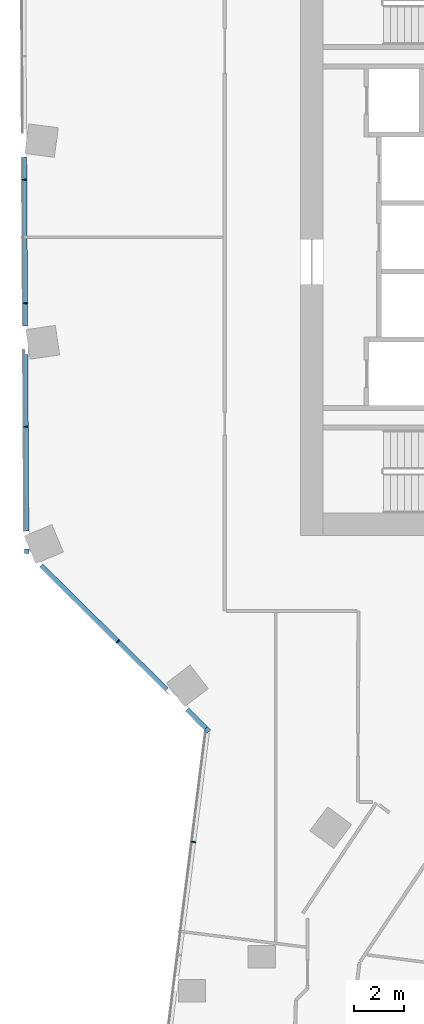
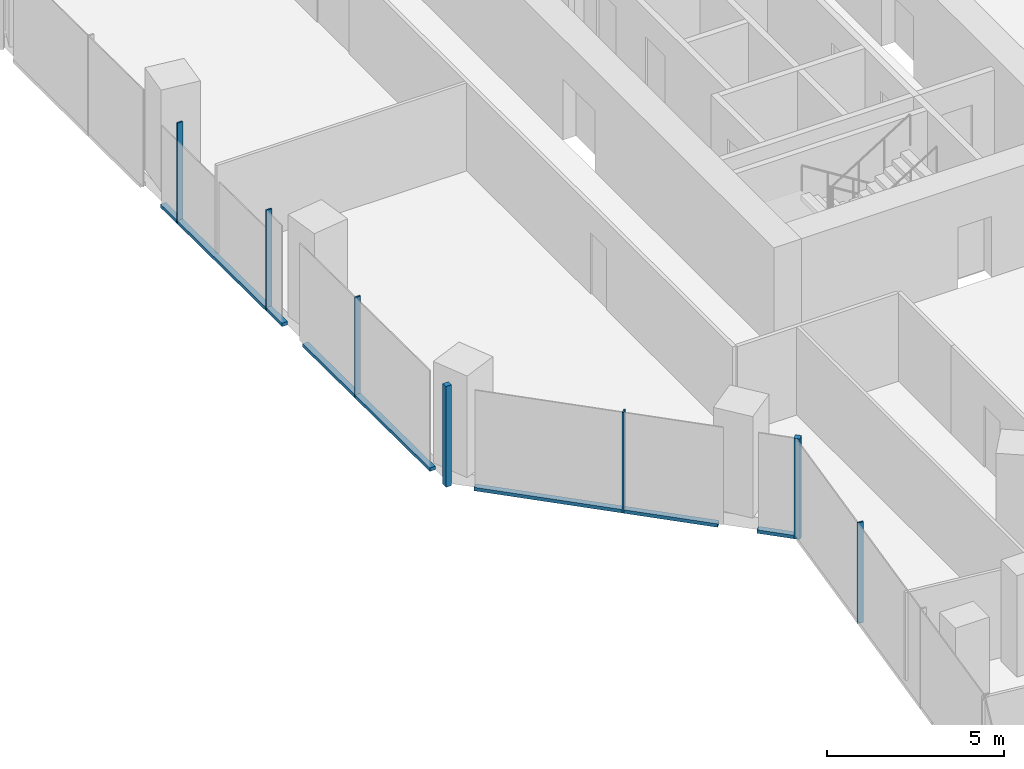
# One storey, part 6 of 27: 11 members, 3 elements without a shape of their own.
"""IFC4 building model written with IfcOpenShell, lengths in metres."""

import ifcopenshell
import ifcopenshell.guid

model = None  # the IFC model being written
_history = None  # IfcOwnerHistory: only IFC2X3 demands one
_inside = {}  # id of a spatial element -> (the spatial element, [elements in it])
_under = {}  # id of a project, library or spatial element -> (it, [spatial elements below it])
_declared = {}  # id of a project -> (the project, [libraries it declares])
_typed = {}  # id of a type object -> (the type object, [elements of that type])
_made_of = {}  # id of a material, layer set ... -> (it, [elements and type objects made of it])


def new_model(schema):
    """Start an empty IFC model of exactly this schema.

    Asked for "IFC4X3", IfcOpenShell would pick the latest addendum, in which some entities
    have other attributes; the version numbers below select the first issue.
    IFC2X3 requires an IfcOwnerHistory on every rooted entity: one is made here for all.
    """
    global model, _history
    if schema == "IFC4X3":
        model = ifcopenshell.file(schema_version=(4, 3, 0, 0))
    else:
        model = ifcopenshell.file(schema=schema)
    _inside.clear()
    _under.clear()
    _declared.clear()
    _typed.clear()
    _made_of.clear()
    _history = None
    if model.schema == "IFC2X3":
        org = make("IfcOrganization", Name="unknown")
        user = make(
            "IfcPersonAndOrganization",
            ThePerson=make("IfcPerson", FamilyName="unknown"),
            TheOrganization=org,
        )
        app = make(
            "IfcApplication",
            ApplicationDeveloper=org,
            Version="unknown",
            ApplicationFullName="unknown",
            ApplicationIdentifier="unknown",
        )
        _history = make(
            "IfcOwnerHistory",
            OwningUser=user,
            OwningApplication=app,
            ChangeAction="ADDED",
            CreationDate=0,
        )
    return model


def make(cls, **values):
    """One entity of the class cls with the attributes given. An attribute that is None is left unset."""
    return model.create_entity(
        cls, **{name: value for name, value in values.items() if value is not None}
    )


def rooted(cls, **values):
    """An entity with a GlobalId (a new one), such as an element, a storey or a relation."""
    return make(cls, GlobalId=ifcopenshell.guid.new(), OwnerHistory=_history, **values)


def si_unit(unit_type, name, prefix=None):
    """IfcSIUnit, for example si_unit("LENGTHUNIT", "METRE", prefix="MILLI")."""
    return make("IfcSIUnit", UnitType=unit_type, Prefix=prefix, Name=name)


def assignment(units):
    """IfcUnitAssignment: the units of a project."""
    return None if units is None else make("IfcUnitAssignment", Units=units)


def point(xyz):
    """IfcCartesianPoint."""
    return None if xyz is None else make("IfcCartesianPoint", Coordinates=xyz)


def direction(xyz):
    """IfcDirection."""
    return None if xyz is None else make("IfcDirection", DirectionRatios=xyz)


def frame(location, z_axis=None, x_axis=None):
    """IfcAxis2Placement3D, a coordinate frame: its origin and axes. An axis left out is left unset."""
    return make(
        "IfcAxis2Placement3D",
        Location=point(location),
        Axis=direction(z_axis),
        RefDirection=direction(x_axis),
    )


def frame_2d(location, x_axis=None):
    """IfcAxis2Placement2D, a coordinate frame in the plane: its origin and x axis."""
    return make(
        "IfcAxis2Placement2D", Location=point(location), RefDirection=direction(x_axis)
    )


def origin():
    """The frame at (0, 0, 0) with its axes left unset."""
    return frame((0.0, 0.0, 0.0))


def origin_2d():
    """The frame at (0, 0) in the plane with its x axis left unset."""
    return frame_2d((0.0, 0.0))


def place(relative_to, where):
    """IfcLocalPlacement: puts the frame where relative to a parent placement (None: the world)."""
    return make(
        "IfcLocalPlacement", PlacementRelTo=relative_to, RelativePlacement=where
    )


def context(
    kind, dimensions, precision=None, world=None, true_north=None, identifier=None
):
    """IfcGeometricRepresentationContext, for example the 3D "Model" context."""
    return make(
        "IfcGeometricRepresentationContext",
        ContextIdentifier=identifier,
        ContextType=kind,
        CoordinateSpaceDimension=dimensions,
        Precision=precision,
        WorldCoordinateSystem=world,
        TrueNorth=true_north,
    )


def subcontext(parent, identifier, kind, view, scale=None):
    """IfcGeometricRepresentationSubContext, for example "Body" below "Model"."""
    return make(
        "IfcGeometricRepresentationSubContext",
        ContextIdentifier=identifier,
        ContextType=kind,
        ParentContext=parent,
        TargetScale=scale,
        TargetView=view,
    )


def project(units=None, contexts=None):
    """IfcProject with its units and contexts."""
    return rooted(
        "IfcProject",
        Name="project",
        RepresentationContexts=contexts,
        UnitsInContext=assignment(units),
    )


def spatial(cls, under=None, at=None, **own):
    """A site, building, storey or space (cls), placed at a placement, below another one or the project."""
    s = rooted(cls, ObjectPlacement=at, **own)
    if under is not None:
        _under.setdefault(under.id(), (under, []))[1].append(s)
    return s


def profile(cls, at=None, kind="AREA", **sizes):
    """A parametric profile (cls). Its sizes go by their IFC names, for example OverallWidth=200.0."""
    return make(cls, ProfileType=kind, Position=at, **sizes)


def rectangle(**sizes):
    """IfcRectangleProfileDef."""
    return profile("IfcRectangleProfileDef", **sizes)


def extrude(swept, where, along, depth):
    """IfcExtrudedAreaSolid: the profile swept, set in the frame where, extruded along a direction by depth."""
    return make(
        "IfcExtrudedAreaSolid",
        SweptArea=swept,
        Position=where,
        ExtrudedDirection=direction(along),
        Depth=depth,
    )


def shape(context_of_items, identifier, shape_type, items):
    """IfcShapeRepresentation: the items that make up one representation, for example the "Body"."""
    return make(
        "IfcShapeRepresentation",
        ContextOfItems=context_of_items,
        RepresentationIdentifier=identifier,
        RepresentationType=shape_type,
        Items=items,
    )


def material(Name=None, Category=None):
    """IfcMaterial."""
    return make("IfcMaterial", Name=Name, Category=Category)


def material_profile(
    of_material, cross_section, Name=None, Category=None, Priority=None
):
    """IfcMaterialProfile: a cross section and its material."""
    return make(
        "IfcMaterialProfile",
        Name=Name,
        Material=of_material,
        Profile=cross_section,
        Priority=Priority,
        Category=Category,
    )


def profile_set(profiles, Name=None, composite=None):
    """IfcMaterialProfileSet."""
    return make(
        "IfcMaterialProfileSet",
        Name=Name,
        MaterialProfiles=profiles,
        CompositeProfile=composite,
    )


def made_of(thing, what):
    """Note that an element or type object is made of a material, layer set ...; save() writes the relation."""
    if what is not None:
        _made_of.setdefault(what.id(), (what, []))[1].append(thing)
    return thing


def type_object(cls, material=None, **own):
    """A type object (cls), such as IfcWallType, which elements share."""
    return made_of(rooted(cls, **own), material)


def element(
    cls,
    number,
    at=None,
    inside=None,
    cuts=None,
    type_object=None,
    material=None,
    context=None,
    identifier="Body",
    shape_type=None,
    held_by="IfcProductDefinitionShape",
    body=None,
    shapes=None,
    **own,
):
    """One element of the class cls, such as IfcWall. Its Tag is "e" and its number.

    at: its placement. inside: the storey or other place that contains it. cuts: it is an
    opening in that element (IfcRelVoidsElement). A single representation is given by context,
    identifier, shape_type and body (its items); several are given by shapes. held_by: the class
    of the entity that holds the representations. save() writes the other relations.
    """
    e = rooted(cls, Tag="e%d" % number, ObjectPlacement=at, **own)
    if body is not None:
        shapes = [shape(context, identifier, shape_type, body)]
    if shapes is not None:
        e.Representation = make(held_by, Representations=shapes)
    if inside is not None:
        _inside.setdefault(inside.id(), (inside, []))[1].append(e)
    if cuts is not None:
        rooted(
            "IfcRelVoidsElement", RelatingBuildingElement=cuts, RelatedOpeningElement=e
        )
    if type_object is not None:
        _typed.setdefault(type_object.id(), (type_object, []))[1].append(e)
    return made_of(e, material)


def aggregate(whole, parts):
    """IfcRelAggregates: a whole, such as a stair, and the parts it consists of."""
    return rooted("IfcRelAggregates", RelatingObject=whole, RelatedObjects=parts)


def save(model, path):
    """Write the relations noted so far, then the file.

    IfcRelAggregates (storeys below a building ...), IfcRelContainedInSpatialStructure (elements
    in a storey), IfcRelDefinesByType, IfcRelAssociatesMaterial and IfcRelDeclares: one each for
    every whole, place, type object, material and project.
    """
    for whole, parts in _under.values():
        aggregate(whole, parts)
    for where, things in _inside.values():
        rooted(
            "IfcRelContainedInSpatialStructure",
            RelatedElements=things,
            RelatingStructure=where,
        )
    for kind, things in _typed.values():
        rooted("IfcRelDefinesByType", RelatedObjects=things, RelatingType=kind)
    for what, things in _made_of.values():
        rooted("IfcRelAssociatesMaterial", RelatedObjects=things, RelatingMaterial=what)
    for by, libraries in _declared.values():
        rooted("IfcRelDeclares", RelatingContext=by, RelatedDefinitions=libraries)
    model.write(path)


model = new_model("IFC4")

# Units and contexts
model_context = context("Model", 3, precision=1e-05, world=origin(), true_north=direction((0.0, 1.0)))
body_context = subcontext(model_context, "Body", "Model", "MODEL_VIEW")
ifc_project = project(units=[si_unit("LENGTHUNIT", "METRE"), si_unit("AREAUNIT", "SQUARE_METRE"), si_unit("VOLUMEUNIT", "CUBIC_METRE"), si_unit("PLANEANGLEUNIT", "RADIAN"), si_unit("MASSUNIT", "GRAM", prefix="KILO")], contexts=[model_context])

# Site, building, storey
site_placement = place(None, origin())
site = spatial("IfcSite", under=ifc_project, at=site_placement, CompositionType="ELEMENT")
building_placement = place(site_placement, origin())
building = spatial("IfcBuilding", under=site, at=building_placement, Name="Orlundy Tower", CompositionType="ELEMENT")
storey_placement = place(building_placement, frame((0.0, 0.0, 202.60009765625)))
storey = spatial("IfcBuildingStorey", under=building, at=storey_placement, Name="L53", CompositionType="ELEMENT", Elevation=202.60009765625)

# Curtain wall, member
ifc_material_1 = material(Name="Aluminium bronze anodised", Category="aluminium")
curtain_wall_type = type_object("IfcCurtainWallType", Name="CW1 wall", PredefinedType="NOTDEFINED", material=ifc_material_1)
curtain_wall_1_placement = place(storey_placement, origin())
curtain_wall_1 = element("IfcCurtainWall", 1, at=curtain_wall_1_placement, inside=storey, type_object=curtain_wall_type, Name="CW1 run 01", PredefinedType="NOTDEFINED")
ifc_material_2 = material(Name="Aluminium bronze anodised", Category="aluminium")
ifc_material_profile_1 = material_profile(ifc_material_2, rectangle(XDim=0.179931640625, YDim=0.179931640625, at=origin_2d()), Name="CW1 corner post 180x180")
ifc_profile_set_1 = profile_set([ifc_material_profile_1], Name="Aluminium bronze anodised")
member_type_1 = type_object("IfcMemberType", Name="CW1 corner post 180x180", PredefinedType="MULLION", material=ifc_profile_set_1)
member_1_placement = place(storey_placement, frame((-22.741943359375, -19.829833984375, -0.420166015625), z_axis=(0.0, 0.0, 1.0), x_axis=(-0.702991811789, -0.711197941896, 0.0)))
member_1 = element("IfcMember", 2, at=member_1_placement, type_object=member_type_1, Name="CW1 mullion 7", PredefinedType="MULLION", context=body_context, shape_type="SweptSolid", body=[
    extrude(rectangle(XDim=0.179931640625, YDim=0.179931640625, at=origin_2d()), origin(), (0.0, 0.0, 1.0), 3.469970703125),
])

curtain_wall_2_placement = place(storey_placement, origin())
curtain_wall_2 = element("IfcCurtainWall", 3, at=curtain_wall_2_placement, inside=storey, type_object=curtain_wall_type, Name="CW1 run 02", PredefinedType="NOTDEFINED")
member_2_placement = place(storey_placement, frame((-30.016845703125, -12.638916015625, -0.420166015625), z_axis=(0.0, 0.0, 1.0), x_axis=(-0.999982980873, -0.005834206419, 0.0)))
member_2 = element("IfcMember", 4, at=member_2_placement, type_object=member_type_1, Name="CW1 mullion 9", PredefinedType="MULLION", context=body_context, shape_type="SweptSolid", body=[
    extrude(rectangle(XDim=0.179931640625, YDim=0.179931640625, at=origin_2d()), origin(), (0.0, 0.0, 1.0), 3.469970703125),
])

curtain_wall_3_placement = place(storey_placement, origin())
curtain_wall_3 = element("IfcCurtainWall", 5, at=curtain_wall_3_placement, inside=storey, type_object=curtain_wall_type, Name="CW1 run 00", PredefinedType="NOTDEFINED")
ifc_material_3 = material(Name="Aluminium bronze anodised", Category="aluminium")
ifc_material_profile_2 = material_profile(ifc_material_3, rectangle(XDim=0.179931640625, YDim=0.050048828125, at=origin_2d()), Name="CW1 mullion 50x180")
ifc_profile_set_2 = profile_set([ifc_material_profile_2], Name="Aluminium bronze anodised")
member_type_2 = type_object("IfcMemberType", Name="CW1 mullion 50x180", PredefinedType="MULLION", material=ifc_profile_set_2)
member_3_placement = place(storey_placement, frame((-23.308837890625, -24.338623046875, -0.420166015625), z_axis=(0.0, 0.0, 1.0), x_axis=(-0.992186526754, 0.124763360518, 0.0)))
member_3 = element("IfcMember", 6, at=member_3_placement, type_object=member_type_2, Name="CW1 mullion 6", PredefinedType="MULLION", context=body_context, shape_type="SweptSolid", body=[
    extrude(rectangle(XDim=0.179931640625, YDim=0.050048828125, at=origin_2d()), origin(), (0.0, 0.0, 1.0), 3.469970703125),
])
aggregate(curtain_wall_3, [member_3])

# Member
member_4_placement = place(storey_placement, frame((-26.350341796875, -16.262939453125, -0.420166015625), z_axis=(0.0, 0.0, 1.0), x_axis=(-0.702991811789, -0.711197941896, 0.0)))
member_4 = element("IfcMember", 7, at=member_4_placement, type_object=member_type_2, Name="CW1 mullion 8", PredefinedType="MULLION", context=body_context, shape_type="SweptSolid", body=[
    extrude(rectangle(XDim=0.179931640625, YDim=0.050048828125, at=origin_2d()), origin(), (0.0, 0.0, 1.0), 3.469970703125),
])

member_5_placement = place(storey_placement, frame((-30.0458984375, -7.630859375, -0.420166015625), z_axis=(0.0, 0.0, 1.0), x_axis=(-0.999982980873, -0.005834206419, 0.0)))
member_5 = element("IfcMember", 8, at=member_5_placement, type_object=member_type_2, Name="CW1 mullion 10", PredefinedType="MULLION", context=body_context, shape_type="SweptSolid", body=[
    extrude(rectangle(XDim=0.179931640625, YDim=0.050048828125, at=origin_2d()), origin(), (0.0, 0.0, 1.0), 3.469970703125),
])

member_6_placement = place(storey_placement, frame((-30.074951171875, -2.660400390625, -0.420166015625), z_axis=(0.0, 0.0, 1.0), x_axis=(-0.999982980873, -0.005834206419, 0.0)))
member_6 = element("IfcMember", 9, at=member_6_placement, type_object=member_type_2, Name="CW1 mullion 11", PredefinedType="MULLION", context=body_context, shape_type="SweptSolid", body=[
    extrude(rectangle(XDim=0.179931640625, YDim=0.050048828125, at=origin_2d()), origin(), (0.0, 0.0, 1.0), 3.469970703125),
])

member_7_placement = place(storey_placement, frame((-30.10400390625, 2.310302734375, -0.420166015625), z_axis=(0.0, 0.0, 1.0), x_axis=(-0.999982980873, -0.005834206419, 0.0)))
member_7 = element("IfcMember", 10, at=member_7_placement, type_object=member_type_2, Name="CW1 mullion 12", PredefinedType="MULLION", context=body_context, shape_type="SweptSolid", body=[
    extrude(rectangle(XDim=0.179931640625, YDim=0.050048828125, at=origin_2d()), origin(), (0.0, 0.0, 1.0), 3.469970703125),
])

ifc_material_4 = material(Name="Aluminium bronze anodised", Category="aluminium")
ifc_material_profile_3 = material_profile(ifc_material_4, rectangle(XDim=0.179931640625, YDim=0.1201171875, at=origin_2d()), Name="CW1 transom 180x120")
ifc_profile_set_3 = profile_set([ifc_material_profile_3], Name="Aluminium bronze anodised")
member_type_3 = type_object("IfcMemberType", Name="CW1 transom 180x120", PredefinedType="USERDEFINED", material=ifc_profile_set_3)
member_8_placement = place(storey_placement, frame((-22.805908203125, -19.7666015625, -0.360107421875), z_axis=(-0.711188757581, 0.703001103193, 0.0), x_axis=(-0.703001103193, -0.711188757581, 0.0)))
member_8 = element("IfcMember", 11, at=member_8_placement, type_object=member_type_3, Name="CW1 transom", ObjectType="TRANSOM", PredefinedType="USERDEFINED", context=body_context, shape_type="SweptSolid", body=[
    extrude(rectangle(XDim=0.179931640625, YDim=0.1201171875, at=origin_2d()), origin(), (0.0, 0.0, 1.0), 1.073486328125),
])

member_9_placement = place(storey_placement, frame((-24.38623046875, -18.204345703125, -0.360107421875), z_axis=(-0.711200782935, 0.702988937575, 0.0), x_axis=(-0.702988937575, -0.711200782935, 0.0)))
member_9 = element("IfcMember", 12, at=member_9_placement, type_object=member_type_3, Name="CW1 transom", ObjectType="TRANSOM", PredefinedType="USERDEFINED", context=body_context, shape_type="SweptSolid", body=[
    extrude(rectangle(XDim=0.179931640625, YDim=0.1201171875, at=origin_2d()), origin(), (0.0, 0.0, 1.0), 7.10546875),
])

aggregate(curtain_wall_1, [member_1, member_4, member_8, member_9])

member_10_placement = place(storey_placement, frame((-30.021484375, -11.826904296875, -0.360107421875), z_axis=(-0.005841021852, 0.999982941086, 0.0), x_axis=(-0.999982941086, -0.005841021852, 0.0)))
member_10 = element("IfcMember", 13, at=member_10_placement, type_object=member_type_3, Name="CW1 transom", ObjectType="TRANSOM", PredefinedType="USERDEFINED", context=body_context, shape_type="SweptSolid", body=[
    extrude(rectangle(XDim=0.179931640625, YDim=0.1201171875, at=origin_2d()), origin(), (0.0, 0.0, 1.0), 7.10546875),
])

member_11_placement = place(storey_placement, frame((-30.069580078125, -3.572265625, -0.360107421875), z_axis=(-0.005856888404, 0.999982848282, 0.0), x_axis=(-0.999982848282, -0.005856888404, 0.0)))
member_11 = element("IfcMember", 14, at=member_11_placement, type_object=member_type_3, Name="CW1 transom", ObjectType="TRANSOM", PredefinedType="USERDEFINED", context=body_context, shape_type="SweptSolid", body=[
    extrude(rectangle(XDim=0.179931640625, YDim=0.1201171875, at=origin_2d()), origin(), (0.0, 0.0, 1.0), 6.79443359375),
])

aggregate(curtain_wall_2, [member_2, member_5, member_6, member_7, member_10, member_11])

save(model, "model.ifc")
